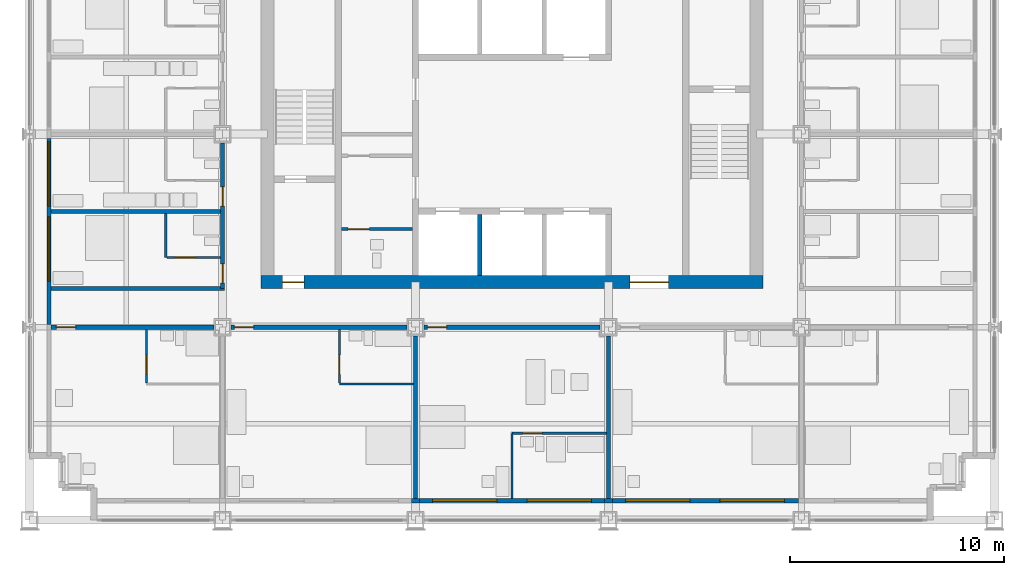
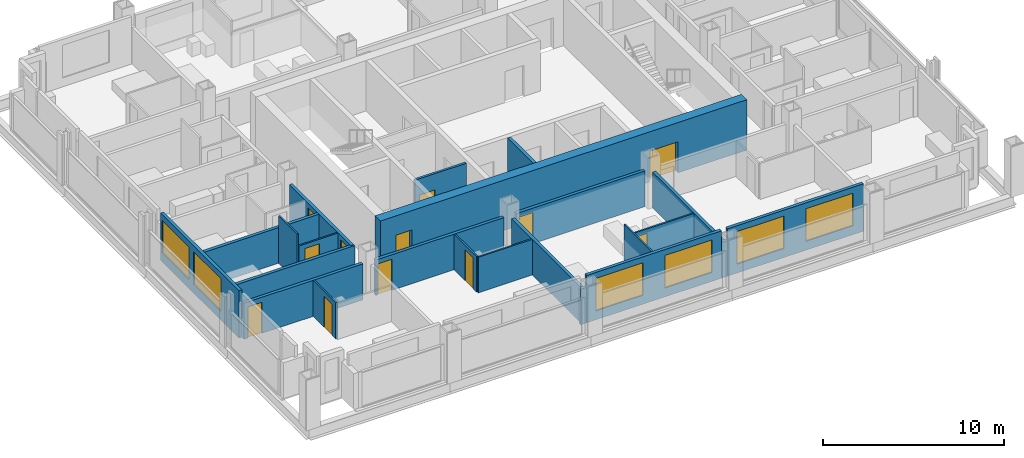
# One storey, part 9 of 16: 23 walls, 12 doors, 6 windows, 18 openings.
"""IFC4 building model written with IfcOpenShell, lengths in metres."""

import ifcopenshell
import ifcopenshell.guid

model = None  # the IFC model being written
_history = None  # IfcOwnerHistory: only IFC2X3 demands one
_inside = {}  # id of a spatial element -> (the spatial element, [elements in it])
_under = {}  # id of a project, library or spatial element -> (it, [spatial elements below it])
_declared = {}  # id of a project -> (the project, [libraries it declares])
_typed = {}  # id of a type object -> (the type object, [elements of that type])
_made_of = {}  # id of a material, layer set ... -> (it, [elements and type objects made of it])


def new_model(schema):
    """Start an empty IFC model of exactly this schema.

    Asked for "IFC4X3", IfcOpenShell would pick the latest addendum, in which some entities
    have other attributes; the version numbers below select the first issue.
    IFC2X3 requires an IfcOwnerHistory on every rooted entity: one is made here for all.
    """
    global model, _history
    if schema == "IFC4X3":
        model = ifcopenshell.file(schema_version=(4, 3, 0, 0))
    else:
        model = ifcopenshell.file(schema=schema)
    _inside.clear()
    _under.clear()
    _declared.clear()
    _typed.clear()
    _made_of.clear()
    _history = None
    if model.schema == "IFC2X3":
        org = make("IfcOrganization", Name="unknown")
        user = make(
            "IfcPersonAndOrganization",
            ThePerson=make("IfcPerson", FamilyName="unknown"),
            TheOrganization=org,
        )
        app = make(
            "IfcApplication",
            ApplicationDeveloper=org,
            Version="unknown",
            ApplicationFullName="unknown",
            ApplicationIdentifier="unknown",
        )
        _history = make(
            "IfcOwnerHistory",
            OwningUser=user,
            OwningApplication=app,
            ChangeAction="ADDED",
            CreationDate=0,
        )
    return model


def make(cls, **values):
    """One entity of the class cls with the attributes given. An attribute that is None is left unset."""
    return model.create_entity(
        cls, **{name: value for name, value in values.items() if value is not None}
    )


def rooted(cls, **values):
    """An entity with a GlobalId (a new one), such as an element, a storey or a relation."""
    return make(cls, GlobalId=ifcopenshell.guid.new(), OwnerHistory=_history, **values)


def si_unit(unit_type, name, prefix=None):
    """IfcSIUnit, for example si_unit("LENGTHUNIT", "METRE", prefix="MILLI")."""
    return make("IfcSIUnit", UnitType=unit_type, Prefix=prefix, Name=name)


def assignment(units):
    """IfcUnitAssignment: the units of a project."""
    return None if units is None else make("IfcUnitAssignment", Units=units)


def point(xyz):
    """IfcCartesianPoint."""
    return None if xyz is None else make("IfcCartesianPoint", Coordinates=xyz)


def direction(xyz):
    """IfcDirection."""
    return None if xyz is None else make("IfcDirection", DirectionRatios=xyz)


def frame(location, z_axis=None, x_axis=None):
    """IfcAxis2Placement3D, a coordinate frame: its origin and axes. An axis left out is left unset."""
    return make(
        "IfcAxis2Placement3D",
        Location=point(location),
        Axis=direction(z_axis),
        RefDirection=direction(x_axis),
    )


def frame_2d(location, x_axis=None):
    """IfcAxis2Placement2D, a coordinate frame in the plane: its origin and x axis."""
    return make(
        "IfcAxis2Placement2D", Location=point(location), RefDirection=direction(x_axis)
    )


def origin():
    """The frame at (0, 0, 0) with its axes left unset."""
    return frame((0.0, 0.0, 0.0))


def place(relative_to, where):
    """IfcLocalPlacement: puts the frame where relative to a parent placement (None: the world)."""
    return make(
        "IfcLocalPlacement", PlacementRelTo=relative_to, RelativePlacement=where
    )


def context(
    kind, dimensions, precision=None, world=None, true_north=None, identifier=None
):
    """IfcGeometricRepresentationContext, for example the 3D "Model" context."""
    return make(
        "IfcGeometricRepresentationContext",
        ContextIdentifier=identifier,
        ContextType=kind,
        CoordinateSpaceDimension=dimensions,
        Precision=precision,
        WorldCoordinateSystem=world,
        TrueNorth=true_north,
    )


def subcontext(parent, identifier, kind, view, scale=None):
    """IfcGeometricRepresentationSubContext, for example "Body" below "Model"."""
    return make(
        "IfcGeometricRepresentationSubContext",
        ContextIdentifier=identifier,
        ContextType=kind,
        ParentContext=parent,
        TargetScale=scale,
        TargetView=view,
    )


def project(units=None, contexts=None):
    """IfcProject with its units and contexts."""
    return rooted(
        "IfcProject",
        Name="project",
        RepresentationContexts=contexts,
        UnitsInContext=assignment(units),
    )


def spatial(cls, under=None, at=None, **own):
    """A site, building, storey or space (cls), placed at a placement, below another one or the project."""
    s = rooted(cls, ObjectPlacement=at, **own)
    if under is not None:
        _under.setdefault(under.id(), (under, []))[1].append(s)
    return s


def profile(cls, at=None, kind="AREA", **sizes):
    """A parametric profile (cls). Its sizes go by their IFC names, for example OverallWidth=200.0."""
    return make(cls, ProfileType=kind, Position=at, **sizes)


def rectangle(**sizes):
    """IfcRectangleProfileDef."""
    return profile("IfcRectangleProfileDef", **sizes)


def extrude(swept, where, along, depth):
    """IfcExtrudedAreaSolid: the profile swept, set in the frame where, extruded along a direction by depth."""
    return make(
        "IfcExtrudedAreaSolid",
        SweptArea=swept,
        Position=where,
        ExtrudedDirection=direction(along),
        Depth=depth,
    )


def shape(context_of_items, identifier, shape_type, items):
    """IfcShapeRepresentation: the items that make up one representation, for example the "Body"."""
    return make(
        "IfcShapeRepresentation",
        ContextOfItems=context_of_items,
        RepresentationIdentifier=identifier,
        RepresentationType=shape_type,
        Items=items,
    )


def material(Name=None, Category=None):
    """IfcMaterial."""
    return make("IfcMaterial", Name=Name, Category=Category)


def layer(
    of_material, thickness, ventilated=None, Name=None, Category=None, Priority=None
):
    """IfcMaterialLayer: one layer of a wall or slab, of a material (None: an air gap)."""
    return make(
        "IfcMaterialLayer",
        Material=of_material,
        LayerThickness=thickness,
        IsVentilated=ventilated,
        Name=Name,
        Category=Category,
        Priority=Priority,
    )


def layer_set(layers, Name=None):
    """IfcMaterialLayerSet."""
    return make("IfcMaterialLayerSet", MaterialLayers=layers, LayerSetName=Name)


def made_of(thing, what):
    """Note that an element or type object is made of a material, layer set ...; save() writes the relation."""
    if what is not None:
        _made_of.setdefault(what.id(), (what, []))[1].append(thing)
    return thing


def type_object(cls, material=None, **own):
    """A type object (cls), such as IfcWallType, which elements share."""
    return made_of(rooted(cls, **own), material)


def element(
    cls,
    number,
    at=None,
    inside=None,
    cuts=None,
    type_object=None,
    material=None,
    context=None,
    identifier="Body",
    shape_type=None,
    held_by="IfcProductDefinitionShape",
    body=None,
    shapes=None,
    **own,
):
    """One element of the class cls, such as IfcWall. Its Tag is "e" and its number.

    at: its placement. inside: the storey or other place that contains it. cuts: it is an
    opening in that element (IfcRelVoidsElement). A single representation is given by context,
    identifier, shape_type and body (its items); several are given by shapes. held_by: the class
    of the entity that holds the representations. save() writes the other relations.
    """
    e = rooted(cls, Tag="e%d" % number, ObjectPlacement=at, **own)
    if body is not None:
        shapes = [shape(context, identifier, shape_type, body)]
    if shapes is not None:
        e.Representation = make(held_by, Representations=shapes)
    if inside is not None:
        _inside.setdefault(inside.id(), (inside, []))[1].append(e)
    if cuts is not None:
        rooted(
            "IfcRelVoidsElement", RelatingBuildingElement=cuts, RelatedOpeningElement=e
        )
    if type_object is not None:
        _typed.setdefault(type_object.id(), (type_object, []))[1].append(e)
    return made_of(e, material)


def fill(opening, filler):
    """IfcRelFillsElement: the door or window that sits in an opening."""
    return rooted(
        "IfcRelFillsElement",
        RelatingOpeningElement=opening,
        RelatedBuildingElement=filler,
    )


def aggregate(whole, parts):
    """IfcRelAggregates: a whole, such as a stair, and the parts it consists of."""
    return rooted("IfcRelAggregates", RelatingObject=whole, RelatedObjects=parts)


def save(model, path):
    """Write the relations noted so far, then the file.

    IfcRelAggregates (storeys below a building ...), IfcRelContainedInSpatialStructure (elements
    in a storey), IfcRelDefinesByType, IfcRelAssociatesMaterial and IfcRelDeclares: one each for
    every whole, place, type object, material and project.
    """
    for whole, parts in _under.values():
        aggregate(whole, parts)
    for where, things in _inside.values():
        rooted(
            "IfcRelContainedInSpatialStructure",
            RelatedElements=things,
            RelatingStructure=where,
        )
    for kind, things in _typed.values():
        rooted("IfcRelDefinesByType", RelatedObjects=things, RelatingType=kind)
    for what, things in _made_of.values():
        rooted("IfcRelAssociatesMaterial", RelatedObjects=things, RelatingMaterial=what)
    for by, libraries in _declared.values():
        rooted("IfcRelDeclares", RelatingContext=by, RelatedDefinitions=libraries)
    model.write(path)


model = new_model("IFC4")

# Units and contexts
model_context = context("Model", 3, precision=1e-05, world=origin(), true_north=direction((0.0, 1.0)))
body_context = subcontext(model_context, "Body", "Model", "MODEL_VIEW")
ifc_project = project(units=[si_unit("LENGTHUNIT", "METRE"), si_unit("AREAUNIT", "SQUARE_METRE"), si_unit("VOLUMEUNIT", "CUBIC_METRE"), si_unit("PLANEANGLEUNIT", "RADIAN"), si_unit("MASSUNIT", "GRAM", prefix="KILO")], contexts=[model_context])

# Site, building, storey
site_placement = place(None, origin())
site = spatial("IfcSite", under=ifc_project, at=site_placement, CompositionType="ELEMENT")
building_placement = place(site_placement, origin())
building = spatial("IfcBuilding", under=site, at=building_placement, Name="Loomwork Tower", CompositionType="ELEMENT")
storey_placement = place(building_placement, frame((0.0, 0.0, 111.199951171875)))
storey = spatial("IfcBuildingStorey", under=building, at=storey_placement, Name="L29", CompositionType="ELEMENT", Elevation=111.199951171875)

# Wall, openings, doors
ifc_material_1 = material(Name="Concrete 14000 psi (97 MPa)", Category="concrete")
ifc_layer_1 = layer(ifc_material_1, 0.60009765625)
ifc_layer_set_1 = layer_set([ifc_layer_1], Name="Core shear wall 600")
wall_type_1 = type_object("IfcWallType", Name="Core shear wall 600", PredefinedType="SHEAR", material=ifc_layer_set_1)
wall_1_placement = place(storey_placement, frame((10.800048828125, 11.10009765625, 0.0), z_axis=(0.0, 0.0, 1.0), x_axis=(1.0, 0.0, 0.0)))
wall_1 = element("IfcWall", 1, at=wall_1_placement, inside=storey, type_object=wall_type_1, Name="Core wall south L29", PredefinedType="SHEAR", context=body_context, shape_type="SweptSolid", body=[
    extrude(rectangle(XDim=23.39990234375, YDim=0.60009765625, at=frame_2d((11.699951171875, 0.0))), origin(), (0.0, 0.0, 1.0), 3.400146484375),
])
opening_1_placement = place(wall_1_placement, frame((1.0, 0.0, 0.0)))
opening_1 = element("IfcOpeningElement", 2, at=opening_1_placement, cuts=wall_1, Name="Opening D4", PredefinedType="OPENING", context=body_context, shape_type="SweptSolid", body=[
    extrude(rectangle(XDim=1.0, YDim=2.10009765625, at=frame_2d((0.5, 1.050048828125))), frame((0.0, 0.31005859375, 0.0), z_axis=(0.0, -1.0, 0.0), x_axis=(1.0, 0.0, 0.0)), (0.0, 0.0, 1.0), 0.6201171875),
])
opening_2_placement = place(wall_1_placement, frame((17.199951171875, 0.0, 0.0)))
opening_2 = element("IfcOpeningElement", 3, at=opening_2_placement, cuts=wall_1, Name="Opening D6", PredefinedType="OPENING", context=body_context, shape_type="SweptSolid", body=[
    extrude(rectangle(XDim=1.800048828125, YDim=2.10009765625, at=frame_2d((0.89990234375, 1.050048828125))), frame((0.0, 0.31005859375, 0.0), z_axis=(0.0, -1.0, 0.0), x_axis=(1.0, 0.0, 0.0)), (0.0, 0.0, 1.0), 0.6201171875),
])
ifc_material_2 = material(Name="Hollow metal door and frame")
door_type_1 = type_object("IfcDoorType", Name="Lobby passage double door 1800", OperationType="DOUBLE_DOOR_SINGLE_SWING", PredefinedType="DOOR", material=ifc_material_2)
door_1_placement = place(opening_2_placement, origin())
door_1 = element("IfcDoor", 4, at=door_1_placement, inside=storey, type_object=door_type_1, Name="Lobby passage door south", OperationType="DOUBLE_DOOR_SINGLE_SWING", OverallHeight=2.10009765625, OverallWidth=1.800048828125, PredefinedType="DOOR", context=body_context, shape_type="SweptSolid", body=[
    extrude(rectangle(XDim=1.800048828125, YDim=2.10009765625, at=frame_2d((0.89990234375, 1.050048828125))), frame((0.0, 0.02490234375, 0.0), z_axis=(0.0, -1.0, 0.0), x_axis=(1.0, 0.0, 0.0)), (0.0, 0.0, 1.0), 0.050048828125),
])
fill(opening_2, door_1)
ifc_material_3 = material(Name="Hollow metal door and frame")
door_type_2 = type_object("IfcDoorType", Name="Stair door 1000", OperationType="SINGLE_SWING_RIGHT", PredefinedType="DOOR", material=ifc_material_3)
door_2_placement = place(opening_1_placement, origin())
door_2 = element("IfcDoor", 5, at=door_2_placement, inside=storey, type_object=door_type_2, Name="Stair A vestibule door", OperationType="SINGLE_SWING_LEFT", OverallHeight=2.10009765625, OverallWidth=1.0, PredefinedType="DOOR", context=body_context, shape_type="SweptSolid", body=[
    extrude(rectangle(XDim=1.0, YDim=2.10009765625, at=frame_2d((0.5, 1.050048828125))), frame((0.0, 0.02490234375, 0.0), z_axis=(0.0, -1.0, 0.0), x_axis=(1.0, 0.0, 0.0)), (0.0, 0.0, 1.0), 0.050048828125),
])
fill(opening_1, door_2)

# Wall, opening, door
ifc_material_4 = material(Name="Gypsum board on steel studs, one-hour", Category="steel")
ifc_layer_2 = layer(ifc_material_4, 0.199951171875)
ifc_layer_set_2 = layer_set([ifc_layer_2], Name="Corridor wall 200")
wall_type_2 = type_object("IfcWallType", Name="Corridor wall 200", PredefinedType="PARTITIONING", material=ifc_layer_set_2)
wall_2_placement = place(storey_placement, frame((1.0, 9.0, 0.0), z_axis=(0.0, 0.0, 1.0), x_axis=(1.0, 0.0, 0.0)))
wall_2 = element("IfcWall", 6, at=wall_2_placement, inside=storey, type_object=wall_type_2, Name="South corridor wall 1", PredefinedType="PARTITIONING", context=body_context, shape_type="SweptSolid", body=[
    extrude(rectangle(XDim=7.60009765625, YDim=0.199951171875, at=frame_2d((3.800048828125, 0.0))), origin(), (0.0, 0.0, 1.0), 2.43798828125),
])
opening_3_placement = place(wall_2_placement, frame((0.25, 0.0, 0.0)))
opening_3 = element("IfcOpeningElement", 7, at=opening_3_placement, cuts=wall_2, Name="Opening D1", PredefinedType="OPENING", context=body_context, shape_type="SweptSolid", body=[
    extrude(rectangle(XDim=0.89990234375, YDim=2.10009765625, at=frame_2d((0.449951171875, 1.050048828125))), frame((0.0, 0.10986328125, 0.0), z_axis=(0.0, -1.0, 0.0), x_axis=(1.0, 0.0, 0.0)), (0.0, 0.0, 1.0), 0.219970703125),
])
ifc_material_5 = material(Name="Hollow metal door and frame")
door_type_3 = type_object("IfcDoorType", Name="Guest room entry door 900", OperationType="SINGLE_SWING_LEFT", PredefinedType="DOOR", material=ifc_material_5)
door_3_placement = place(opening_3_placement, frame((0.89990234375, 0.0, 0.0), z_axis=(0.0, 0.0, 1.0), x_axis=(-1.0, 0.0, 0.0)))
door_3 = element("IfcDoor", 8, at=door_3_placement, inside=storey, type_object=door_type_3, Name="Guest room entry door L29 1", OperationType="SINGLE_SWING_RIGHT", OverallHeight=2.10009765625, OverallWidth=0.89990234375, PredefinedType="DOOR", context=body_context, shape_type="SweptSolid", body=[
    extrude(rectangle(XDim=0.89990234375, YDim=2.10009765625, at=frame_2d((0.449951171875, 1.050048828125))), frame((0.0, 0.02490234375, 0.0), z_axis=(0.0, -1.0, 0.0), x_axis=(1.0, 0.0, 0.0)), (0.0, 0.0, 1.0), 0.050048828125),
])
fill(opening_3, door_3)

wall_3_placement = place(storey_placement, frame((9.39990234375, 9.0, 0.0), z_axis=(0.0, 0.0, 1.0), x_axis=(1.0, 0.0, 0.0)))
wall_3 = element("IfcWall", 9, at=wall_3_placement, inside=storey, type_object=wall_type_2, Name="South corridor wall 2", PredefinedType="PARTITIONING", context=body_context, shape_type="SweptSolid", body=[
    extrude(rectangle(XDim=8.2001953125, YDim=0.199951171875, at=frame_2d((4.10009765625, 0.0))), origin(), (0.0, 0.0, 1.0), 2.405029296875),
])
opening_4_placement = place(wall_3_placement, frame((0.14990234375, 0.0, 0.0)))
opening_4 = element("IfcOpeningElement", 10, at=opening_4_placement, cuts=wall_3, Name="Opening D1", PredefinedType="OPENING", context=body_context, shape_type="SweptSolid", body=[
    extrude(rectangle(XDim=0.89990234375, YDim=2.10009765625, at=frame_2d((0.449951171875, 1.050048828125))), frame((0.0, 0.10986328125, 0.0), z_axis=(0.0, -1.0, 0.0), x_axis=(1.0, 0.0, 0.0)), (0.0, 0.0, 1.0), 0.219970703125),
])
door_4_placement = place(opening_4_placement, frame((0.89990234375, 0.0, 0.0), z_axis=(0.0, 0.0, 1.0), x_axis=(-1.0, 0.0, 0.0)))
door_4 = element("IfcDoor", 11, at=door_4_placement, inside=storey, type_object=door_type_3, Name="Guest room entry door L29 2", OperationType="SINGLE_SWING_RIGHT", OverallHeight=2.10009765625, OverallWidth=0.89990234375, PredefinedType="DOOR", context=body_context, shape_type="SweptSolid", body=[
    extrude(rectangle(XDim=0.89990234375, YDim=2.10009765625, at=frame_2d((0.449951171875, 1.050048828125))), frame((0.0, 0.02490234375, 0.0), z_axis=(0.0, -1.0, 0.0), x_axis=(1.0, 0.0, 0.0)), (0.0, 0.0, 1.0), 0.050048828125),
])
fill(opening_4, door_4)

wall_4_placement = place(storey_placement, frame((18.39990234375, 9.0, 0.0), z_axis=(0.0, 0.0, 1.0), x_axis=(1.0, 0.0, 0.0)))
wall_4 = element("IfcWall", 12, at=wall_4_placement, inside=storey, type_object=wall_type_2, Name="South corridor wall 3", PredefinedType="PARTITIONING", context=body_context, shape_type="SweptSolid", body=[
    extrude(rectangle(XDim=8.2001953125, YDim=0.199951171875, at=frame_2d((4.10009765625, 0.0))), origin(), (0.0, 0.0, 1.0), 2.405029296875),
])
opening_5_placement = place(wall_4_placement, frame((0.14990234375, 0.0, 0.0)))
opening_5 = element("IfcOpeningElement", 13, at=opening_5_placement, cuts=wall_4, Name="Opening D1", PredefinedType="OPENING", context=body_context, shape_type="SweptSolid", body=[
    extrude(rectangle(XDim=0.89990234375, YDim=2.10009765625, at=frame_2d((0.449951171875, 1.050048828125))), frame((0.0, 0.10986328125, 0.0), z_axis=(0.0, -1.0, 0.0), x_axis=(1.0, 0.0, 0.0)), (0.0, 0.0, 1.0), 0.219970703125),
])
door_5_placement = place(opening_5_placement, frame((0.89990234375, 0.0, 0.0), z_axis=(0.0, 0.0, 1.0), x_axis=(-1.0, 0.0, 0.0)))
door_5 = element("IfcDoor", 14, at=door_5_placement, inside=storey, type_object=door_type_3, Name="Guest room entry door L29 3", OperationType="SINGLE_SWING_RIGHT", OverallHeight=2.10009765625, OverallWidth=0.89990234375, PredefinedType="DOOR", context=body_context, shape_type="SweptSolid", body=[
    extrude(rectangle(XDim=0.89990234375, YDim=2.10009765625, at=frame_2d((0.449951171875, 1.050048828125))), frame((0.0, 0.02490234375, 0.0), z_axis=(0.0, -1.0, 0.0), x_axis=(1.0, 0.0, 0.0)), (0.0, 0.0, 1.0), 0.050048828125),
])
fill(opening_5, door_5)

# Wall, openings, doors
wall_5_placement = place(storey_placement, frame((9.0, 10.800048828125, 0.0), z_axis=(0.0, 0.0, 1.0), x_axis=(0.0, 1.0, 0.0)))
wall_5 = element("IfcWall", 15, at=wall_5_placement, inside=storey, type_object=wall_type_2, Name="West corridor wall 1", PredefinedType="PARTITIONING", context=body_context, shape_type="SweptSolid", body=[
    extrude(rectangle(XDim=6.800048828125, YDim=0.199951171875, at=frame_2d((3.39990234375, 0.0))), origin(), (0.0, 0.0, 1.0), 2.405029296875),
])
opening_6_placement = place(wall_5_placement, frame((0.25, 0.0, 0.0)))
opening_6 = element("IfcOpeningElement", 16, at=opening_6_placement, cuts=wall_5, Name="Opening D1", PredefinedType="OPENING", context=body_context, shape_type="SweptSolid", body=[
    extrude(rectangle(XDim=0.89990234375, YDim=2.10009765625, at=frame_2d((0.449951171875, 1.050048828125))), frame((0.0, 0.10986328125, 0.0), z_axis=(0.0, -1.0, 0.0), x_axis=(1.0, 0.0, 0.0)), (0.0, 0.0, 1.0), 0.219970703125),
])
opening_7_placement = place(wall_5_placement, frame((3.85009765625, 0.0, 0.0)))
opening_7 = element("IfcOpeningElement", 17, at=opening_7_placement, cuts=wall_5, Name="Opening D1", PredefinedType="OPENING", context=body_context, shape_type="SweptSolid", body=[
    extrude(rectangle(XDim=0.89990234375, YDim=2.10009765625, at=frame_2d((0.449951171875, 1.050048828125))), frame((0.0, 0.10986328125, 0.0), z_axis=(0.0, -1.0, 0.0), x_axis=(1.0, 0.0, 0.0)), (0.0, 0.0, 1.0), 0.219970703125),
])
door_6_placement = place(opening_6_placement, origin())
door_6 = element("IfcDoor", 18, at=door_6_placement, inside=storey, type_object=door_type_3, Name="Guest room entry door L29 11", OperationType="SINGLE_SWING_LEFT", OverallHeight=2.10009765625, OverallWidth=0.89990234375, PredefinedType="DOOR", context=body_context, shape_type="SweptSolid", body=[
    extrude(rectangle(XDim=0.89990234375, YDim=2.10009765625, at=frame_2d((0.449951171875, 1.050048828125))), frame((0.0, 0.02490234375, 0.0), z_axis=(0.0, -1.0, 0.0), x_axis=(1.0, 0.0, 0.0)), (0.0, 0.0, 1.0), 0.050048828125),
])
fill(opening_6, door_6)
door_7_placement = place(opening_7_placement, origin())
door_7 = element("IfcDoor", 19, at=door_7_placement, inside=storey, type_object=door_type_3, Name="Guest room entry door L29 12", OperationType="SINGLE_SWING_LEFT", OverallHeight=2.10009765625, OverallWidth=0.89990234375, PredefinedType="DOOR", context=body_context, shape_type="SweptSolid", body=[
    extrude(rectangle(XDim=0.89990234375, YDim=2.10009765625, at=frame_2d((0.449951171875, 1.050048828125))), frame((0.0, 0.02490234375, 0.0), z_axis=(0.0, -1.0, 0.0), x_axis=(1.0, 0.0, 0.0)), (0.0, 0.0, 1.0), 0.050048828125),
])
fill(opening_7, door_7)

# Wall
wall_6_placement = place(storey_placement, frame((1.0, 10.800048828125, 0.0), z_axis=(0.0, 0.0, 1.0), x_axis=(1.0, 0.0, 0.0)))
element("IfcWall", 20, at=wall_6_placement, inside=storey, type_object=wall_type_2, Name="West band end wall S", PredefinedType="PARTITIONING", context=body_context, shape_type="SweptSolid", body=[
    extrude(rectangle(XDim=8.10009765625, YDim=0.199951171875, at=frame_2d((4.050048828125, 0.0))), origin(), (0.0, 0.0, 1.0), 2.404052734375),
])

# Wall, opening, door
ifc_material_6 = material(Name="Cement board on steel studs", Category="steel")
ifc_layer_3 = layer(ifc_material_6, 0.10009765625)
ifc_layer_set_3 = layer_set([ifc_layer_3], Name="En-suite partition 100")
wall_type_3 = type_object("IfcWallType", Name="En-suite partition 100", PredefinedType="PARTITIONING", material=ifc_layer_set_3)
wall_7_placement = place(storey_placement, frame((5.449951171875, 8.89990234375, 0.0), z_axis=(0.0, 0.0, 1.0), x_axis=(0.0, -1.0, 0.0)))
wall_7 = element("IfcWall", 21, at=wall_7_placement, inside=storey, type_object=wall_type_3, Name="En-suite side wall L29 room 1", PredefinedType="PARTITIONING", context=body_context, shape_type="SweptSolid", body=[
    extrude(rectangle(XDim=2.5, YDim=0.10009765625, at=frame_2d((1.25, 0.0))), origin(), (0.0, 0.0, 1.0), 2.43798828125),
])
opening_8_placement = place(wall_7_placement, frame((1.199951171875, 0.0, 0.0)))
opening_8 = element("IfcOpeningElement", 22, at=opening_8_placement, cuts=wall_7, Name="Opening D3", PredefinedType="OPENING", context=body_context, shape_type="SweptSolid", body=[
    extrude(rectangle(XDim=0.89990234375, YDim=2.10009765625, at=frame_2d((0.449951171875, 1.050048828125))), frame((0.0, 0.06005859375, 0.0), z_axis=(0.0, -1.0, 0.0), x_axis=(1.0, 0.0, 0.0)), (0.0, 0.0, 1.0), 0.1201171875),
])
ifc_material_7 = material(Name="Hollow metal door and frame")
door_type_4 = type_object("IfcDoorType", Name="Accessible en-suite door 900", OperationType="SLIDING_TO_LEFT", PredefinedType="DOOR", material=ifc_material_7)
door_8_placement = place(opening_8_placement, origin())
door_8 = element("IfcDoor", 23, at=door_8_placement, inside=storey, type_object=door_type_4, Name="Accessible en-suite door room 1", OperationType="SLIDING_TO_LEFT", OverallHeight=2.10009765625, OverallWidth=0.89990234375, PredefinedType="DOOR", context=body_context, shape_type="SweptSolid", body=[
    extrude(rectangle(XDim=0.89990234375, YDim=2.10009765625, at=frame_2d((0.449951171875, 1.050048828125))), frame((0.0, 0.02490234375, 0.0), z_axis=(0.0, -1.0, 0.0), x_axis=(1.0, 0.0, 0.0)), (0.0, 0.0, 1.0), 0.050048828125),
])
fill(opening_8, door_8)

# Wall
wall_8_placement = place(storey_placement, frame((14.449951171875, 6.35009765625, 0.0), z_axis=(0.0, 0.0, 1.0), x_axis=(1.0, 0.0, 0.0)))
element("IfcWall", 24, at=wall_8_placement, inside=storey, type_object=wall_type_3, Name="En-suite wall L29 room 2", PredefinedType="PARTITIONING", context=body_context, shape_type="SweptSolid", body=[
    extrude(rectangle(XDim=3.449951171875, YDim=0.10009765625, at=frame_2d((1.72509765625, 0.0))), origin(), (0.0, 0.0, 1.0), 2.404052734375),
])

# Wall, opening, door
wall_9_placement = place(storey_placement, frame((14.449951171875, 8.89990234375, 0.0), z_axis=(0.0, 0.0, 1.0), x_axis=(0.0, -1.0, 0.0)))
wall_9 = element("IfcWall", 25, at=wall_9_placement, inside=storey, type_object=wall_type_3, Name="En-suite side wall L29 room 2", PredefinedType="PARTITIONING", context=body_context, shape_type="SweptSolid", body=[
    extrude(rectangle(XDim=2.5, YDim=0.10009765625, at=frame_2d((1.25, 0.0))), origin(), (0.0, 0.0, 1.0), 2.404052734375),
])
opening_9_placement = place(wall_9_placement, frame((1.199951171875, 0.0, 0.0)))
opening_9 = element("IfcOpeningElement", 26, at=opening_9_placement, cuts=wall_9, Name="Opening D2", PredefinedType="OPENING", context=body_context, shape_type="SweptSolid", body=[
    extrude(rectangle(XDim=0.89990234375, YDim=2.10009765625, at=frame_2d((0.449951171875, 1.050048828125))), frame((0.0, 0.06005859375, 0.0), z_axis=(0.0, -1.0, 0.0), x_axis=(1.0, 0.0, 0.0)), (0.0, 0.0, 1.0), 0.1201171875),
])
ifc_material_8 = material(Name="Hollow metal door and frame")
door_type_5 = type_object("IfcDoorType", Name="En-suite door 900", OperationType="SINGLE_SWING_LEFT", PredefinedType="DOOR", material=ifc_material_8)
door_9_placement = place(opening_9_placement, origin())
door_9 = element("IfcDoor", 27, at=door_9_placement, inside=storey, type_object=door_type_5, Name="En-suite door room 2", OperationType="SINGLE_SWING_RIGHT", OverallHeight=2.10009765625, OverallWidth=0.89990234375, PredefinedType="DOOR", context=body_context, shape_type="SweptSolid", body=[
    extrude(rectangle(XDim=0.89990234375, YDim=2.10009765625, at=frame_2d((0.449951171875, 1.050048828125))), frame((0.0, 0.02490234375, 0.0), z_axis=(0.0, -1.0, 0.0), x_axis=(1.0, 0.0, 0.0)), (0.0, 0.0, 1.0), 0.050048828125),
])
fill(opening_9, door_9)

wall_10_placement = place(storey_placement, frame((22.5, 4.050048828125, 0.0), z_axis=(0.0, 0.0, 1.0), x_axis=(1.0, 0.0, 0.0)))
wall_10 = element("IfcWall", 28, at=wall_10_placement, inside=storey, type_object=wall_type_3, Name="Spa bathroom wall L29 room 3", PredefinedType="PARTITIONING", context=body_context, shape_type="SweptSolid", body=[
    extrude(rectangle(XDim=4.39990234375, YDim=0.10009765625, at=frame_2d((2.199951171875, 0.0))), origin(), (0.0, 0.0, 1.0), 2.404052734375),
])
opening_10_placement = place(wall_10_placement, frame((0.5, 0.0, 0.0)))
opening_10 = element("IfcOpeningElement", 29, at=opening_10_placement, cuts=wall_10, Name="Opening D2", PredefinedType="OPENING", context=body_context, shape_type="SweptSolid", body=[
    extrude(rectangle(XDim=0.89990234375, YDim=2.10009765625, at=frame_2d((0.449951171875, 1.050048828125))), frame((0.0, 0.06005859375, 0.0), z_axis=(0.0, -1.0, 0.0), x_axis=(1.0, 0.0, 0.0)), (0.0, 0.0, 1.0), 0.1201171875),
])
door_10_placement = place(opening_10_placement, frame((0.89990234375, 0.0, 0.0), z_axis=(0.0, 0.0, 1.0), x_axis=(-1.0, 0.0, 0.0)))
door_10 = element("IfcDoor", 30, at=door_10_placement, inside=storey, type_object=door_type_5, Name="Spa bathroom door room 3", OperationType="SINGLE_SWING_RIGHT", OverallHeight=2.10009765625, OverallWidth=0.89990234375, PredefinedType="DOOR", context=body_context, shape_type="SweptSolid", body=[
    extrude(rectangle(XDim=0.89990234375, YDim=2.10009765625, at=frame_2d((0.449951171875, 1.050048828125))), frame((0.0, 0.02490234375, 0.0), z_axis=(0.0, -1.0, 0.0), x_axis=(1.0, 0.0, 0.0)), (0.0, 0.0, 1.0), 0.050048828125),
])
fill(opening_10, door_10)

# Walls
wall_11_placement = place(storey_placement, frame((22.5, 4.050048828125, 0.0), z_axis=(0.0, 0.0, 1.0), x_axis=(0.0, -1.0, 0.0)))
element("IfcWall", 31, at=wall_11_placement, inside=storey, type_object=wall_type_3, Name="Spa bathroom side wall L29 room 3", PredefinedType="PARTITIONING", context=body_context, shape_type="SweptSolid", body=[
    extrude(rectangle(XDim=3.050048828125, YDim=0.10009765625, at=frame_2d((1.52490234375, 0.0))), origin(), (0.0, 0.0, 1.0), 3.199951171875),
])
wall_12_placement = place(storey_placement, frame((6.35009765625, 12.25, 0.0), z_axis=(0.0, 0.0, 1.0), x_axis=(0.0, 1.0, 0.0)))
element("IfcWall", 32, at=wall_12_placement, inside=storey, type_object=wall_type_3, Name="En-suite wall L29 room 11", PredefinedType="PARTITIONING", context=body_context, shape_type="SweptSolid", body=[
    extrude(rectangle(XDim=2.050048828125, YDim=0.10009765625, at=frame_2d((1.02490234375, 0.0))), origin(), (0.0, 0.0, 1.0), 3.199951171875),
])

# Wall, opening, door
wall_13_placement = place(storey_placement, frame((8.89990234375, 12.25, 0.0), z_axis=(0.0, 0.0, 1.0), x_axis=(-1.0, 0.0, 0.0)))
wall_13 = element("IfcWall", 33, at=wall_13_placement, inside=storey, type_object=wall_type_3, Name="En-suite side wall L29 room 11", PredefinedType="PARTITIONING", context=body_context, shape_type="SweptSolid", body=[
    extrude(rectangle(XDim=2.5, YDim=0.10009765625, at=frame_2d((1.25, 0.0))), origin(), (0.0, 0.0, 1.0), 2.404052734375),
])
opening_11_placement = place(wall_13_placement, frame((1.199951171875, 0.0, 0.0)))
opening_11 = element("IfcOpeningElement", 34, at=opening_11_placement, cuts=wall_13, Name="Opening D2", PredefinedType="OPENING", context=body_context, shape_type="SweptSolid", body=[
    extrude(rectangle(XDim=0.89990234375, YDim=2.10009765625, at=frame_2d((0.449951171875, 1.050048828125))), frame((0.0, 0.06005859375, 0.0), z_axis=(0.0, -1.0, 0.0), x_axis=(1.0, 0.0, 0.0)), (0.0, 0.0, 1.0), 0.1201171875),
])
door_11_placement = place(opening_11_placement, frame((0.89990234375, 0.0, 0.0), z_axis=(0.0, 0.0, 1.0), x_axis=(-1.0, 0.0, 0.0)))
door_11 = element("IfcDoor", 35, at=door_11_placement, inside=storey, type_object=door_type_5, Name="En-suite door room 11", OperationType="SINGLE_SWING_LEFT", OverallHeight=2.10009765625, OverallWidth=0.89990234375, PredefinedType="DOOR", context=body_context, shape_type="SweptSolid", body=[
    extrude(rectangle(XDim=0.89990234375, YDim=2.10009765625, at=frame_2d((0.449951171875, 1.050048828125))), frame((0.0, 0.02490234375, 0.0), z_axis=(0.0, -1.0, 0.0), x_axis=(1.0, 0.0, 0.0)), (0.0, 0.0, 1.0), 0.050048828125),
])
fill(opening_11, door_11)

# Walls
ifc_material_9 = material(Name="Gypsum board on steel studs, acoustic", Category="steel")
ifc_layer_4 = layer(ifc_material_9, 0.199951171875)
ifc_layer_set_4 = layer_set([ifc_layer_4], Name="Guest room party wall 200")
wall_type_4 = type_object("IfcWallType", Name="Guest room party wall 200", PredefinedType="PARTITIONING", material=ifc_layer_set_4)
for number, where, z_axis, x_axis, name in (
    (36, (18.0, 8.60009765625, 0.0), (0.0, 0.0, 1.0), (0.0, -1.0, 0.0), "Guest room party wall S 18"),
    (37, (27.0, 8.60009765625, 0.0), (0.0, 0.0, 1.0), (0.0, -1.0, 0.0), "Guest room party wall S 27"),
):
    element("IfcWall", number, at=place(storey_placement, frame(where, z_axis=z_axis, x_axis=x_axis)), inside=storey, type_object=wall_type_4, Name=name, PredefinedType="PARTITIONING", context=body_context, shape_type="SweptSolid", body=[
        extrude(rectangle(XDim=7.60009765625, YDim=0.199951171875, at=frame_2d((3.800048828125, 0.0))), origin(), (0.0, 0.0, 1.0), 2.405029296875),
    ])
wall_14_placement = place(storey_placement, frame((8.89990234375, 14.39990234375, 0.0), z_axis=(0.0, 0.0, 1.0), x_axis=(-1.0, 0.0, 0.0)))
element("IfcWall", 38, at=wall_14_placement, inside=storey, type_object=wall_type_4, Name="Guest room party wall W 14.4", PredefinedType="PARTITIONING", context=body_context, shape_type="SweptSolid", body=[
    extrude(rectangle(XDim=7.89990234375, YDim=0.199951171875, at=frame_2d((3.949951171875, 0.0))), origin(), (0.0, 0.0, 1.0), 2.404052734375),
])
ifc_material_10 = material(Name="Insulated steel stud wall with gypsum lining", Category="steel")
ifc_layer_5 = layer(ifc_material_10, 0.199951171875)
ifc_layer_set_5 = layer_set([ifc_layer_5], Name="Inner skin wall 200")
wall_type_5 = type_object("IfcWallType", Name="Inner skin wall 200", PredefinedType="SOLIDWALL", material=ifc_layer_set_5)
wall_15_placement = place(storey_placement, frame((17.80615234375, 0.89990234375, 0.0), z_axis=(0.0, 0.0, 1.0), x_axis=(1.0, 0.0, 0.0)))
element("IfcWall", 39, at=wall_15_placement, inside=storey, type_object=wall_type_5, Name="Inner skin wall S bay 4", PredefinedType="SOLIDWALL", context=body_context, shape_type="SweptSolid", body=[
    extrude(rectangle(XDim=0.3876953125, YDim=0.199951171875, at=frame_2d((0.19384765625, 0.0))), origin(), (0.0, 0.0, 1.0), 2.404052734375),
])

# Wall, openings, windows
wall_16_placement = place(storey_placement, frame((18.19384765625, 0.89990234375, 0.0), z_axis=(0.0, 0.0, 1.0), x_axis=(1.0, 0.0, 0.0)))
wall_16 = element("IfcWall", 40, at=wall_16_placement, inside=storey, type_object=wall_type_5, Name="Inner skin wall S bay 5", PredefinedType="SOLIDWALL", context=body_context, shape_type="SweptSolid", body=[
    extrude(rectangle(XDim=8.6123046875, YDim=0.199951171875, at=frame_2d((4.30615234375, 0.0))), origin(), (0.0, 0.0, 1.0), 3.199951171875),
])
opening_12_placement = place(wall_16_placement, frame((0.606201171875, 0.0, 0.60009765625)))
opening_12 = element("IfcOpeningElement", 41, at=opening_12_placement, cuts=wall_16, Name="Opening CH1", PredefinedType="OPENING", context=body_context, shape_type="SweptSolid", body=[
    extrude(rectangle(XDim=3.0, YDim=2.199951171875, at=frame_2d((1.5, 1.10009765625))), frame((0.0, 0.10986328125, 0.0), z_axis=(0.0, -1.0, 0.0), x_axis=(1.0, 0.0, 0.0)), (0.0, 0.0, 1.0), 0.219970703125),
])
opening_13_placement = place(wall_16_placement, frame((5.006103515625, 0.0, 0.60009765625)))
opening_13 = element("IfcOpeningElement", 42, at=opening_13_placement, cuts=wall_16, Name="Opening CH1", PredefinedType="OPENING", context=body_context, shape_type="SweptSolid", body=[
    extrude(rectangle(XDim=3.0, YDim=2.199951171875, at=frame_2d((1.5, 1.10009765625))), frame((0.0, 0.10986328125, 0.0), z_axis=(0.0, -1.0, 0.0), x_axis=(1.0, 0.0, 0.0)), (0.0, 0.0, 1.0), 0.219970703125),
])
ifc_material_11 = material(Name="Aluminium frame with clear insulated glass", Category="aluminium")
window_type = type_object("IfcWindowType", Name="Chicago window 3000", PartitioningType="TRIPLE_PANEL_VERTICAL", PredefinedType="WINDOW", material=ifc_material_11)
window_1_placement = place(opening_12_placement, origin())
window_1 = element("IfcWindow", 43, at=window_1_placement, inside=storey, type_object=window_type, Name="Chicago window L29 bay 3", OverallHeight=2.199951171875, OverallWidth=3.0, PartitioningType="TRIPLE_PANEL_VERTICAL", PredefinedType="WINDOW", context=body_context, shape_type="SweptSolid", body=[
    extrude(rectangle(XDim=3.0, YDim=2.199951171875, at=frame_2d((1.5, 1.10009765625))), frame((0.0, 0.030029296875, 0.0), z_axis=(0.0, -1.0, 0.0), x_axis=(1.0, 0.0, 0.0)), (0.0, 0.0, 1.0), 0.06005859375),
])
fill(opening_12, window_1)
window_2_placement = place(opening_13_placement, origin())
window_2 = element("IfcWindow", 44, at=window_2_placement, inside=storey, type_object=window_type, Name="Chicago window L29 bay 3", OverallHeight=2.199951171875, OverallWidth=3.0, PartitioningType="TRIPLE_PANEL_VERTICAL", PredefinedType="WINDOW", context=body_context, shape_type="SweptSolid", body=[
    extrude(rectangle(XDim=3.0, YDim=2.199951171875, at=frame_2d((1.5, 1.10009765625))), frame((0.0, 0.030029296875, 0.0), z_axis=(0.0, -1.0, 0.0), x_axis=(1.0, 0.0, 0.0)), (0.0, 0.0, 1.0), 0.06005859375),
])
fill(opening_13, window_2)

# Wall
wall_17_placement = place(storey_placement, frame((26.80615234375, 0.89990234375, 0.0), z_axis=(0.0, 0.0, 1.0), x_axis=(1.0, 0.0, 0.0)))
element("IfcWall", 45, at=wall_17_placement, inside=storey, type_object=wall_type_5, Name="Inner skin wall S bay 6", PredefinedType="SOLIDWALL", context=body_context, shape_type="SweptSolid", body=[
    extrude(rectangle(XDim=0.3876953125, YDim=0.199951171875, at=frame_2d((0.19384765625, 0.0))), origin(), (0.0, 0.0, 1.0), 2.404052734375),
])

# Wall, openings, windows
wall_18_placement = place(storey_placement, frame((27.19384765625, 0.89990234375, 0.0), z_axis=(0.0, 0.0, 1.0), x_axis=(1.0, 0.0, 0.0)))
wall_18 = element("IfcWall", 46, at=wall_18_placement, inside=storey, type_object=wall_type_5, Name="Inner skin wall S bay 7", PredefinedType="SOLIDWALL", context=body_context, shape_type="SweptSolid", body=[
    extrude(rectangle(XDim=8.670654296875, YDim=0.199951171875, at=frame_2d((4.33544921875, 0.0))), origin(), (0.0, 0.0, 1.0), 3.199951171875),
])
opening_14_placement = place(wall_18_placement, frame((0.606201171875, 0.0, 0.60009765625)))
opening_14 = element("IfcOpeningElement", 47, at=opening_14_placement, cuts=wall_18, Name="Opening CH1", PredefinedType="OPENING", context=body_context, shape_type="SweptSolid", body=[
    extrude(rectangle(XDim=3.0, YDim=2.199951171875, at=frame_2d((1.5, 1.10009765625))), frame((0.0, 0.10986328125, 0.0), z_axis=(0.0, -1.0, 0.0), x_axis=(1.0, 0.0, 0.0)), (0.0, 0.0, 1.0), 0.219970703125),
])
opening_15_placement = place(wall_18_placement, frame((5.006103515625, 0.0, 0.60009765625)))
opening_15 = element("IfcOpeningElement", 48, at=opening_15_placement, cuts=wall_18, Name="Opening CH1", PredefinedType="OPENING", context=body_context, shape_type="SweptSolid", body=[
    extrude(rectangle(XDim=3.0, YDim=2.199951171875, at=frame_2d((1.5, 1.10009765625))), frame((0.0, 0.10986328125, 0.0), z_axis=(0.0, -1.0, 0.0), x_axis=(1.0, 0.0, 0.0)), (0.0, 0.0, 1.0), 0.219970703125),
])
window_3_placement = place(opening_14_placement, origin())
window_3 = element("IfcWindow", 49, at=window_3_placement, inside=storey, type_object=window_type, Name="Chicago window L29 bay 4", OverallHeight=2.199951171875, OverallWidth=3.0, PartitioningType="TRIPLE_PANEL_VERTICAL", PredefinedType="WINDOW", context=body_context, shape_type="SweptSolid", body=[
    extrude(rectangle(XDim=3.0, YDim=2.199951171875, at=frame_2d((1.5, 1.10009765625))), frame((0.0, 0.030029296875, 0.0), z_axis=(0.0, -1.0, 0.0), x_axis=(1.0, 0.0, 0.0)), (0.0, 0.0, 1.0), 0.06005859375),
])
fill(opening_14, window_3)
window_4_placement = place(opening_15_placement, origin())
window_4 = element("IfcWindow", 50, at=window_4_placement, inside=storey, type_object=window_type, Name="Chicago window L29 bay 4", OverallHeight=2.199951171875, OverallWidth=3.0, PartitioningType="TRIPLE_PANEL_VERTICAL", PredefinedType="WINDOW", context=body_context, shape_type="SweptSolid", body=[
    extrude(rectangle(XDim=3.0, YDim=2.199951171875, at=frame_2d((1.5, 1.10009765625))), frame((0.0, 0.030029296875, 0.0), z_axis=(0.0, -1.0, 0.0), x_axis=(1.0, 0.0, 0.0)), (0.0, 0.0, 1.0), 0.06005859375),
])
fill(opening_15, window_4)

wall_19_placement = place(storey_placement, frame((0.89990234375, 9.13525390625, 0.0), z_axis=(0.0, 0.0, 1.0), x_axis=(0.0, 1.0, 0.0)))
wall_19 = element("IfcWall", 51, at=wall_19_placement, inside=storey, type_object=wall_type_5, Name="Inner skin wall W bay 5", PredefinedType="SOLIDWALL", context=body_context, shape_type="SweptSolid", body=[
    extrude(rectangle(XDim=8.6708984375, YDim=0.199951171875, at=frame_2d((4.33544921875, 0.0))), origin(), (0.0, 0.0, 1.0), 3.199951171875),
])
opening_16_placement = place(wall_19_placement, frame((2.0146484375, 0.0, 0.60009765625)))
opening_16 = element("IfcOpeningElement", 52, at=opening_16_placement, cuts=wall_19, Name="Opening CH1", PredefinedType="OPENING", context=body_context, shape_type="SweptSolid", body=[
    extrude(rectangle(XDim=3.0, YDim=2.199951171875, at=frame_2d((1.5, 1.10009765625))), frame((0.0, 0.10986328125, 0.0), z_axis=(0.0, -1.0, 0.0), x_axis=(1.0, 0.0, 0.0)), (0.0, 0.0, 1.0), 0.219970703125),
])
opening_17_placement = place(wall_19_placement, frame((5.5146484375, 0.0, 0.60009765625)))
opening_17 = element("IfcOpeningElement", 53, at=opening_17_placement, cuts=wall_19, Name="Opening CH1", PredefinedType="OPENING", context=body_context, shape_type="SweptSolid", body=[
    extrude(rectangle(XDim=3.0, YDim=2.199951171875, at=frame_2d((1.5, 1.10009765625))), frame((0.0, 0.10986328125, 0.0), z_axis=(0.0, -1.0, 0.0), x_axis=(1.0, 0.0, 0.0)), (0.0, 0.0, 1.0), 0.219970703125),
])
window_5_placement = place(opening_16_placement, origin())
window_5 = element("IfcWindow", 54, at=window_5_placement, inside=storey, type_object=window_type, Name="Chicago window L29 bay 11", OverallHeight=2.199951171875, OverallWidth=3.0, PartitioningType="TRIPLE_PANEL_VERTICAL", PredefinedType="WINDOW", context=body_context, shape_type="SweptSolid", body=[
    extrude(rectangle(XDim=3.0, YDim=2.199951171875, at=frame_2d((1.5, 1.10009765625))), frame((0.0, 0.030029296875, 0.0), z_axis=(0.0, -1.0, 0.0), x_axis=(1.0, 0.0, 0.0)), (0.0, 0.0, 1.0), 0.06005859375),
])
fill(opening_16, window_5)
window_6_placement = place(opening_17_placement, origin())
window_6 = element("IfcWindow", 55, at=window_6_placement, inside=storey, type_object=window_type, Name="Chicago window L29 bay 11", OverallHeight=2.199951171875, OverallWidth=3.0, PartitioningType="TRIPLE_PANEL_VERTICAL", PredefinedType="WINDOW", context=body_context, shape_type="SweptSolid", body=[
    extrude(rectangle(XDim=3.0, YDim=2.199951171875, at=frame_2d((1.5, 1.10009765625))), frame((0.0, 0.030029296875, 0.0), z_axis=(0.0, -1.0, 0.0), x_axis=(1.0, 0.0, 0.0)), (0.0, 0.0, 1.0), 0.06005859375),
])
fill(opening_17, window_6)

# Wall
ifc_material_12 = material(Name="Concrete 14000 psi (97 MPa)", Category="concrete")
ifc_layer_6 = layer(ifc_material_12, 0.199951171875)
ifc_layer_set_6 = layer_set([ifc_layer_6], Name="Lift shaft wall 200")
wall_type_6 = type_object("IfcWallType", Name="Lift shaft wall 200", PredefinedType="SHEAR", material=ifc_layer_set_6)
wall_20_placement = place(storey_placement, frame((21.0, 11.39990234375, 0.0), z_axis=(0.0, 0.0, 1.0), x_axis=(0.0, 1.0, 0.0)))
element("IfcWall", 56, at=wall_20_placement, inside=storey, type_object=wall_type_6, Name="Lift shaft separation wall south 1 L29", PredefinedType="SHEAR", context=body_context, shape_type="SweptSolid", body=[
    extrude(rectangle(XDim=2.85009765625, YDim=0.199951171875, at=frame_2d((1.425048828125, 0.0))), origin(), (0.0, 0.0, 1.0), 3.400146484375),
])

# Wall, opening, door
ifc_material_13 = material(Name="Gypsum board on steel studs, one-hour", Category="steel")
ifc_layer_7 = layer(ifc_material_13, 0.14990234375)
ifc_layer_set_7 = layer_set([ifc_layer_7], Name="Service partition 150")
wall_type_7 = type_object("IfcWallType", Name="Service partition 150", PredefinedType="PARTITIONING", material=ifc_layer_set_7)
wall_21_placement = place(storey_placement, frame((14.550048828125, 13.574951171875, 0.0), z_axis=(0.0, 0.0, 1.0), x_axis=(1.0, 0.0, 0.0)))
wall_21 = element("IfcWall", 57, at=wall_21_placement, inside=storey, type_object=wall_type_7, Name="Back-of-house partition L29", PredefinedType="PARTITIONING", context=body_context, shape_type="SweptSolid", body=[
    extrude(rectangle(XDim=3.300048828125, YDim=0.14990234375, at=frame_2d((1.64990234375, 0.0))), origin(), (0.0, 0.0, 1.0), 3.199951171875),
])
opening_18_placement = place(wall_21_placement, frame((0.300048828125, 0.0, 0.0)))
opening_18 = element("IfcOpeningElement", 58, at=opening_18_placement, cuts=wall_21, Name="Opening D5", PredefinedType="OPENING", context=body_context, shape_type="SweptSolid", body=[
    extrude(rectangle(XDim=1.0, YDim=2.10009765625, at=frame_2d((0.5, 1.050048828125))), frame((0.0, 0.0849609375, 0.0), z_axis=(0.0, -1.0, 0.0), x_axis=(1.0, 0.0, 0.0)), (0.0, 0.0, 1.0), 0.169921875),
])
ifc_material_14 = material(Name="Hollow metal door and frame")
door_type_6 = type_object("IfcDoorType", Name="Service door 1000", OperationType="SINGLE_SWING_LEFT", PredefinedType="DOOR", material=ifc_material_14)
door_12_placement = place(opening_18_placement, frame((1.0, 0.0, 0.0), z_axis=(0.0, 0.0, 1.0), x_axis=(-1.0, 0.0, 0.0)))
door_12 = element("IfcDoor", 59, at=door_12_placement, inside=storey, type_object=door_type_6, Name="Back-of-house room door", OperationType="SINGLE_SWING_RIGHT", OverallHeight=2.10009765625, OverallWidth=1.0, PredefinedType="DOOR", context=body_context, shape_type="SweptSolid", body=[
    extrude(rectangle(XDim=1.0, YDim=2.10009765625, at=frame_2d((0.5, 1.050048828125))), frame((0.0, 0.02490234375, 0.0), z_axis=(0.0, -1.0, 0.0), x_axis=(1.0, 0.0, 0.0)), (0.0, 0.0, 1.0), 0.050048828125),
])
fill(opening_18, door_12)

save(model, "model.ifc")
